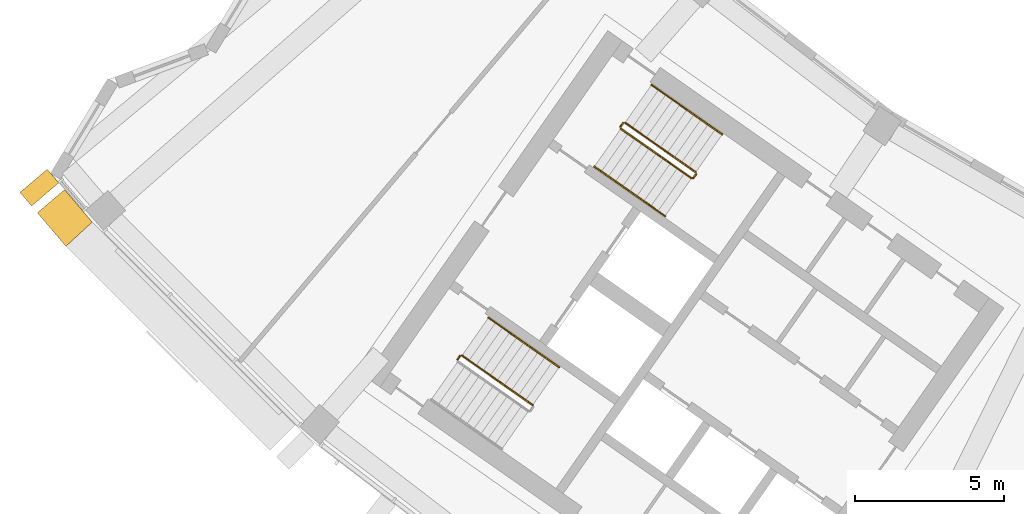
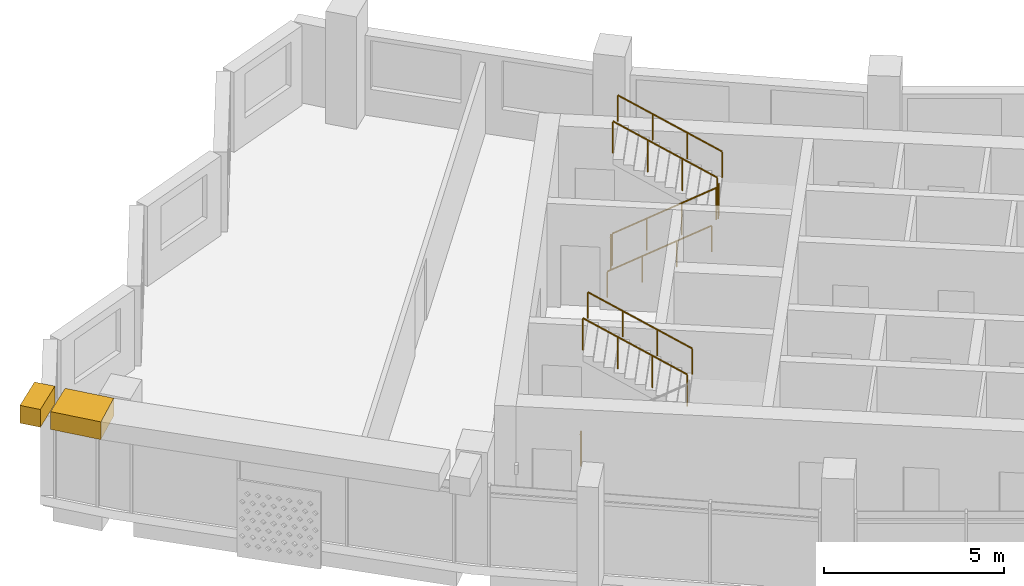
# One storey, part 24 of 28: 8 railings, 2 shading devices.
"""IFC4 building model written with IfcOpenShell, lengths in metres."""

from ifc_helpers import new_model, si_unit, direction, frame, origin, origin_2d, place, context, subcontext, project, spatial, polyline, circle, outline, extrude, material, type_object, element, save


model = new_model("IFC4")

# Units and contexts
model_context = context("Model", 3, precision=1e-05, world=origin(), true_north=direction((0.0, 1.0)))
body_context = subcontext(model_context, "Body", "Model", "MODEL_VIEW")
ifc_project = project(units=[si_unit("LENGTHUNIT", "METRE"), si_unit("AREAUNIT", "SQUARE_METRE"), si_unit("VOLUMEUNIT", "CUBIC_METRE"), si_unit("PLANEANGLEUNIT", "RADIAN"), si_unit("MASSUNIT", "GRAM", prefix="KILO")], contexts=[model_context])

# Site, building, storey
site_placement = place(None, origin())
site = spatial("IfcSite", under=ifc_project, at=site_placement, CompositionType="ELEMENT")
building_placement = place(site_placement, origin())
building = spatial("IfcBuilding", under=site, at=building_placement, Name="Qamariyya Broadcast Tower", CompositionType="ELEMENT")
storey_placement = place(building_placement, frame((0.0, 0.0, 269.5)))
storey = spatial("IfcBuildingStorey", under=building, at=storey_placement, Name="L65", CompositionType="ELEMENT", Elevation=269.5)

# Shading devices
ifc_material_1 = material(Name="Steel S355 powder coated deep red", Category="steel")
shading_device_type = type_object("IfcShadingDeviceType", Name="Deep red frame, powder coated steel box section", PredefinedType="USERDEFINED", material=ifc_material_1)
shading_device_1_placement = place(storey_placement, frame((0.0, 0.0, 3.199951171875)))
element("IfcShadingDevice", 1, at=shading_device_1_placement, inside=storey, type_object=shading_device_type, Name="e-frm-B5-F1-posta-L65", ObjectType="FRAME", PredefinedType="USERDEFINED", context=body_context, shape_type="SweptSolid", body=[
    extrude(outline(polyline([(-60.418212890625, -49.883544921875), (-61.33203125, -50.661376953125), (-60.943115234375, -51.1181640625), (-60.029296875, -50.340576171875), (-60.418212890625, -49.883544921875)])), origin(), (0.0, 0.0, 1.0), 0.60009765625),
])
shading_device_2_placement = place(storey_placement, frame((0.0, 0.0, 3.199951171875)))
element("IfcShadingDevice", 2, at=shading_device_2_placement, inside=storey, type_object=shading_device_type, Name="e-frm-B5-F1-bot0", ObjectType="FRAME", PredefinedType="USERDEFINED", context=body_context, shape_type="SweptSolid", body=[
    extrude(outline(polyline([(-59.834716796875, -50.569091796875), (-60.748779296875, -51.3466796875), (-59.789306640625, -52.47412109375), (-58.90673828125, -51.65966796875), (-59.834716796875, -50.569091796875)])), origin(), (0.0, 0.0, 1.0), 0.60009765625),
])

# Railings
ifc_material_2 = material(Name="Painted steel", Category="steel")
railing_type_1 = type_object("IfcRailingType", Name="Stair guard", PredefinedType="GUARDRAIL", material=ifc_material_2)
railing_1_placement = place(storey_placement, frame((-41.146728515625, -48.52490234375, 0.172607421875)))
element("IfcRailing", 3, at=railing_1_placement, inside=storey, type_object=railing_type_1, Name="L65 ST-W2 stair guard 1", PredefinedType="GUARDRAIL", context=body_context, shape_type="SweptSolid", body=[
    extrude(circle(Radius=0.02392578125, at=origin_2d()), frame((0.0, 0.0, 1.076171875), z_axis=(0.703770094002, -0.492783725636, 0.511734163933), x_axis=(0.573575343427, 0.819152809562, 0.0)), (0.0, 0.0, 1.0), 3.37548828125),
    extrude(circle(Radius=0.02392578125, at=origin_2d()), frame((2.37548828125, -1.663330078125, 2.80322265625), z_axis=(0.985059694769, 0.172213233351, 0.0), x_axis=(-0.172213233351, 0.985059694769, 0.0)), (0.0, 0.0, 1.0), 0.07080078125),
    extrude(circle(Radius=0.02392578125, at=origin_2d()), frame((2.4453125, -1.651123046875, 2.80322265625), z_axis=(0.572588637393, 0.819842821722, 0.0), x_axis=(-0.819842821722, 0.572588637393, 0.0)), (0.0, 0.0, 1.0), 0.150146484375),
    extrude(circle(Radius=0.02099609375, at=origin_2d()), origin(), (0.0, 0.0, 1.0), 1.052001953125),
    extrude(circle(Radius=0.02099609375, at=origin_2d()), frame((0.791748046875, -0.554443359375, 0.57568359375)), (0.0, 0.0, 1.0), 1.052001953125),
    extrude(circle(Radius=0.02099609375, at=origin_2d()), frame((1.583740234375, -1.10888671875, 1.151611328125)), (0.0, 0.0, 1.0), 1.052001953125),
    extrude(circle(Radius=0.02099609375, at=origin_2d()), frame((2.37548828125, -1.663330078125, 1.727294921875)), (0.0, 0.0, 1.0), 1.052001953125),
    extrude(circle(Radius=0.02099609375, at=origin_2d()), frame((2.4453125, -1.651123046875, 1.727294921875)), (0.0, 0.0, 1.0), 1.052001953125),
    extrude(circle(Radius=0.02099609375, at=origin_2d()), frame((2.53125, -1.528076171875, 1.727294921875)), (0.0, 0.0, 1.0), 1.052001953125),
])
railing_2_placement = place(storey_placement, frame((-38.627685546875, -49.9833984375, 2.07275390625)))
element("IfcRailing", 4, at=railing_2_placement, inside=storey, type_object=railing_type_1, Name="L65 ST-W2 stair guard 2", PredefinedType="GUARDRAIL", context=body_context, shape_type="SweptSolid", body=[
    extrude(circle(Radius=0.02392578125, at=origin_2d()), frame((0.0, 0.0, 1.076171875), z_axis=(-0.703770094002, 0.492783725636, 0.511734163933), x_axis=(-0.573575343427, -0.819152809562, 0.0)), (0.0, 0.0, 1.0), 3.37548828125),
    extrude(circle(Radius=0.02099609375, at=origin_2d()), origin(), (0.0, 0.0, 1.0), 1.052001953125),
    extrude(circle(Radius=0.02099609375, at=origin_2d()), frame((-0.791748046875, 0.554443359375, 0.57568359375)), (0.0, 0.0, 1.0), 1.052001953125),
    extrude(circle(Radius=0.02099609375, at=origin_2d()), frame((-1.583740234375, 1.10888671875, 1.151611328125)), (0.0, 0.0, 1.0), 1.052001953125),
    extrude(circle(Radius=0.02099609375, at=origin_2d()), frame((-2.37548828125, 1.663330078125, 1.727294921875)), (0.0, 0.0, 1.0), 1.052001953125),
])
railing_3_placement = place(storey_placement, frame((-41.158935546875, -48.455322265625, 0.0)))
element("IfcRailing", 5, at=railing_3_placement, inside=storey, type_object=railing_type_1, Name="L65 ST-W2 stair guard 3", PredefinedType="GUARDRAIL", context=body_context, shape_type="SweptSolid", body=[
    extrude(circle(Radius=0.02392578125, at=origin_2d()), frame((0.0, 0.0, 1.076171875), z_axis=(0.572588637393, 0.819842821722, 0.0), x_axis=(-0.819842821722, 0.572588637393, 0.0)), (0.0, 0.0, 1.0), 0.150146484375),
    extrude(circle(Radius=0.02099609375, at=origin_2d()), origin(), (0.0, 0.0, 1.0), 1.052001953125),
    extrude(circle(Radius=0.02099609375, at=origin_2d()), frame((0.0859375, 0.123046875, 0.0)), (0.0, 0.0, 1.0), 1.052001953125),
])
railing_4_placement = place(storey_placement, frame((-44.10546875, -57.806396484375, 2.07275390625)))
element("IfcRailing", 6, at=railing_4_placement, inside=storey, type_object=railing_type_1, Name="L65 ST-W1 stair guard 2", PredefinedType="GUARDRAIL", context=body_context, shape_type="SweptSolid", body=[
    extrude(circle(Radius=0.02392578125, at=origin_2d()), frame((0.0, 0.0, 1.076171875), z_axis=(-0.703770094002, 0.492783725636, 0.511734163933), x_axis=(-0.573575343427, -0.819152809562, 0.0)), (0.0, 0.0, 1.0), 3.37548828125),
    extrude(circle(Radius=0.02099609375, at=origin_2d()), origin(), (0.0, 0.0, 1.0), 1.052001953125),
    extrude(circle(Radius=0.02099609375, at=origin_2d()), frame((-0.791748046875, 0.554443359375, 0.57568359375)), (0.0, 0.0, 1.0), 1.052001953125),
    extrude(circle(Radius=0.02099609375, at=origin_2d()), frame((-1.583740234375, 1.10888671875, 1.151611328125)), (0.0, 0.0, 1.0), 1.052001953125),
    extrude(circle(Radius=0.02099609375, at=origin_2d()), frame((-2.37548828125, 1.663330078125, 1.727294921875)), (0.0, 0.0, 1.0), 1.052001953125),
])
railing_5_placement = place(storey_placement, frame((-46.63671875, -56.278076171875, 0.0)))
element("IfcRailing", 7, at=railing_5_placement, inside=storey, type_object=railing_type_1, Name="L65 ST-W1 stair guard 3", PredefinedType="GUARDRAIL", context=body_context, shape_type="SweptSolid", body=[
    extrude(circle(Radius=0.02392578125, at=origin_2d()), frame((0.0, 0.0, 1.076171875), z_axis=(0.574444878118, 0.818543268254, 0.0), x_axis=(-0.818543268254, 0.574444878118, 0.0)), (0.0, 0.0, 1.0), 0.150146484375),
    extrude(circle(Radius=0.02099609375, at=origin_2d()), origin(), (0.0, 0.0, 1.0), 1.052001953125),
    extrude(circle(Radius=0.02099609375, at=origin_2d()), frame((0.086181640625, 0.122802734375, 0.0)), (0.0, 0.0, 1.0), 1.052001953125),
])
ifc_material_3 = material(Name="Stainless steel", Category="steel")
railing_type_2 = type_object("IfcRailingType", Name="Stair handrail", PredefinedType="HANDRAIL", material=ifc_material_3)
railing_6_placement = place(storey_placement, frame((-42.03564453125, -49.79443359375, 0.172607421875)))
element("IfcRailing", 8, at=railing_6_placement, inside=storey, type_object=railing_type_2, Name="L65 ST-W2 stair handrail 1", PredefinedType="HANDRAIL", context=body_context, shape_type="SweptSolid", body=[
    extrude(circle(Radius=0.02392578125, at=origin_2d()), frame((0.0, 0.0, 0.8759765625), z_axis=(0.703745009021, -0.492838488332, 0.511715923826), x_axis=(0.573631830683, 0.819113253969, 0.0)), (0.0, 0.0, 1.0), 3.37548828125),
    extrude(circle(Radius=0.02099609375, at=origin_2d()), origin(), (0.0, 0.0, 1.0), 0.851806640625),
    extrude(circle(Radius=0.02099609375, at=origin_2d()), frame((0.791748046875, -0.554443359375, 0.57568359375)), (0.0, 0.0, 1.0), 0.851806640625),
    extrude(circle(Radius=0.02099609375, at=origin_2d()), frame((1.583740234375, -1.109130859375, 1.151611328125)), (0.0, 0.0, 1.0), 0.851806640625),
    extrude(circle(Radius=0.02099609375, at=origin_2d()), frame((2.37548828125, -1.66357421875, 1.727294921875)), (0.0, 0.0, 1.0), 0.851806640625),
])
railing_7_placement = place(storey_placement, frame((-37.73876953125, -48.7138671875, 2.07275390625)))
element("IfcRailing", 9, at=railing_7_placement, inside=storey, type_object=railing_type_2, Name="L65 ST-W2 stair handrail 2", PredefinedType="HANDRAIL", context=body_context, shape_type="SweptSolid", body=[
    extrude(circle(Radius=0.02392578125, at=origin_2d()), frame((0.0, 0.0, 0.8759765625), z_axis=(-0.703745009021, 0.492838488332, 0.511715923826), x_axis=(-0.573631830683, -0.819113253969, 0.0)), (0.0, 0.0, 1.0), 3.37548828125),
    extrude(circle(Radius=0.02099609375, at=origin_2d()), origin(), (0.0, 0.0, 1.0), 0.851806640625),
    extrude(circle(Radius=0.02099609375, at=origin_2d()), frame((-0.791748046875, 0.554443359375, 0.57568359375)), (0.0, 0.0, 1.0), 0.851806640625),
    extrude(circle(Radius=0.02099609375, at=origin_2d()), frame((-1.583740234375, 1.109130859375, 1.151611328125)), (0.0, 0.0, 1.0), 0.851806640625),
    extrude(circle(Radius=0.02099609375, at=origin_2d()), frame((-2.37548828125, 1.66357421875, 1.727294921875)), (0.0, 0.0, 1.0), 0.851806640625),
])
railing_8_placement = place(storey_placement, frame((-43.21630859375, -56.53662109375, 2.07275390625)))
element("IfcRailing", 10, at=railing_8_placement, inside=storey, type_object=railing_type_2, Name="L65 ST-W1 stair handrail 2", PredefinedType="HANDRAIL", context=body_context, shape_type="SweptSolid", body=[
    extrude(circle(Radius=0.02392578125, at=origin_2d()), frame((0.0, 0.0, 0.8759765625), z_axis=(-0.703770094002, 0.492783725636, 0.511734163933), x_axis=(-0.573575343427, -0.819152809562, 0.0)), (0.0, 0.0, 1.0), 3.37548828125),
    extrude(circle(Radius=0.02099609375, at=origin_2d()), origin(), (0.0, 0.0, 1.0), 0.851806640625),
    extrude(circle(Radius=0.02099609375, at=origin_2d()), frame((-0.791748046875, 0.554443359375, 0.57568359375)), (0.0, 0.0, 1.0), 0.851806640625),
    extrude(circle(Radius=0.02099609375, at=origin_2d()), frame((-1.583740234375, 1.10888671875, 1.151611328125)), (0.0, 0.0, 1.0), 0.851806640625),
    extrude(circle(Radius=0.02099609375, at=origin_2d()), frame((-2.37548828125, 1.663330078125, 1.727294921875)), (0.0, 0.0, 1.0), 0.851806640625),
])

save(model, "model.ifc")
